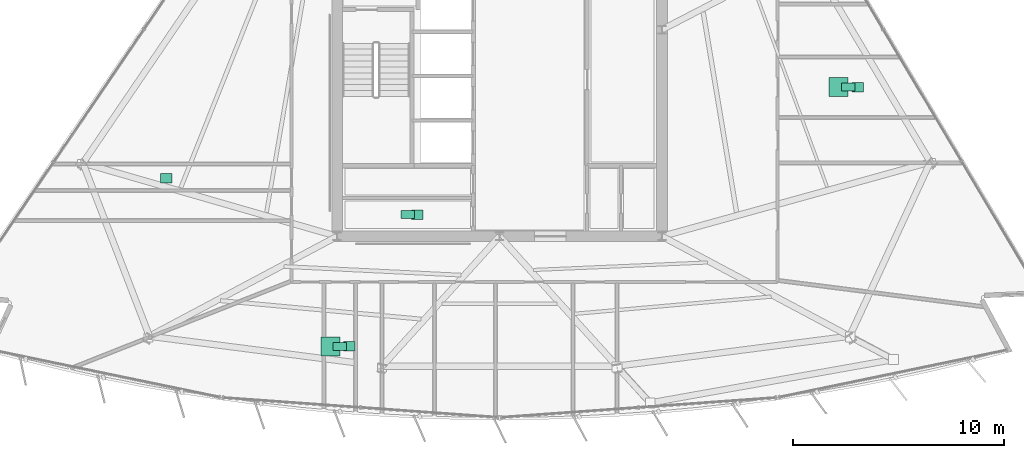
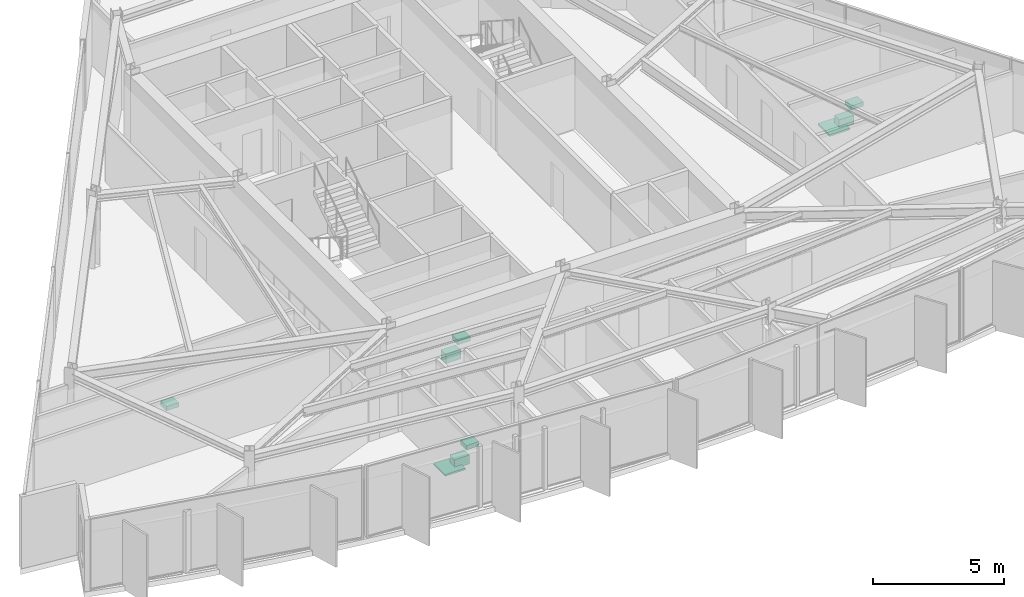
# One storey, part 15 of 15: 9 sanitary terminals.
"""IFC4 building model written with IfcOpenShell, lengths in metres."""

import ifcopenshell
import ifcopenshell.guid

model = None  # the IFC model being written
_history = None  # IfcOwnerHistory: only IFC2X3 demands one
_inside = {}  # id of a spatial element -> (the spatial element, [elements in it])
_under = {}  # id of a project, library or spatial element -> (it, [spatial elements below it])
_declared = {}  # id of a project -> (the project, [libraries it declares])
_typed = {}  # id of a type object -> (the type object, [elements of that type])
_made_of = {}  # id of a material, layer set ... -> (it, [elements and type objects made of it])


def new_model(schema):
    """Start an empty IFC model of exactly this schema.

    Asked for "IFC4X3", IfcOpenShell would pick the latest addendum, in which some entities
    have other attributes; the version numbers below select the first issue.
    IFC2X3 requires an IfcOwnerHistory on every rooted entity: one is made here for all.
    """
    global model, _history
    if schema == "IFC4X3":
        model = ifcopenshell.file(schema_version=(4, 3, 0, 0))
    else:
        model = ifcopenshell.file(schema=schema)
    _inside.clear()
    _under.clear()
    _declared.clear()
    _typed.clear()
    _made_of.clear()
    _history = None
    if model.schema == "IFC2X3":
        org = make("IfcOrganization", Name="unknown")
        user = make(
            "IfcPersonAndOrganization",
            ThePerson=make("IfcPerson", FamilyName="unknown"),
            TheOrganization=org,
        )
        app = make(
            "IfcApplication",
            ApplicationDeveloper=org,
            Version="unknown",
            ApplicationFullName="unknown",
            ApplicationIdentifier="unknown",
        )
        _history = make(
            "IfcOwnerHistory",
            OwningUser=user,
            OwningApplication=app,
            ChangeAction="ADDED",
            CreationDate=0,
        )
    return model


def make(cls, **values):
    """One entity of the class cls with the attributes given. An attribute that is None is left unset."""
    return model.create_entity(
        cls, **{name: value for name, value in values.items() if value is not None}
    )


def rooted(cls, **values):
    """An entity with a GlobalId (a new one), such as an element, a storey or a relation."""
    return make(cls, GlobalId=ifcopenshell.guid.new(), OwnerHistory=_history, **values)


def si_unit(unit_type, name, prefix=None):
    """IfcSIUnit, for example si_unit("LENGTHUNIT", "METRE", prefix="MILLI")."""
    return make("IfcSIUnit", UnitType=unit_type, Prefix=prefix, Name=name)


def assignment(units):
    """IfcUnitAssignment: the units of a project."""
    return None if units is None else make("IfcUnitAssignment", Units=units)


def point(xyz):
    """IfcCartesianPoint."""
    return None if xyz is None else make("IfcCartesianPoint", Coordinates=xyz)


def direction(xyz):
    """IfcDirection."""
    return None if xyz is None else make("IfcDirection", DirectionRatios=xyz)


def frame(location, z_axis=None, x_axis=None):
    """IfcAxis2Placement3D, a coordinate frame: its origin and axes. An axis left out is left unset."""
    return make(
        "IfcAxis2Placement3D",
        Location=point(location),
        Axis=direction(z_axis),
        RefDirection=direction(x_axis),
    )


def frame_2d(location, x_axis=None):
    """IfcAxis2Placement2D, a coordinate frame in the plane: its origin and x axis."""
    return make(
        "IfcAxis2Placement2D", Location=point(location), RefDirection=direction(x_axis)
    )


def origin():
    """The frame at (0, 0, 0) with its axes left unset."""
    return frame((0.0, 0.0, 0.0))


def origin_2d():
    """The frame at (0, 0) in the plane with its x axis left unset."""
    return frame_2d((0.0, 0.0))


def place(relative_to, where):
    """IfcLocalPlacement: puts the frame where relative to a parent placement (None: the world)."""
    return make(
        "IfcLocalPlacement", PlacementRelTo=relative_to, RelativePlacement=where
    )


def context(
    kind, dimensions, precision=None, world=None, true_north=None, identifier=None
):
    """IfcGeometricRepresentationContext, for example the 3D "Model" context."""
    return make(
        "IfcGeometricRepresentationContext",
        ContextIdentifier=identifier,
        ContextType=kind,
        CoordinateSpaceDimension=dimensions,
        Precision=precision,
        WorldCoordinateSystem=world,
        TrueNorth=true_north,
    )


def subcontext(parent, identifier, kind, view, scale=None):
    """IfcGeometricRepresentationSubContext, for example "Body" below "Model"."""
    return make(
        "IfcGeometricRepresentationSubContext",
        ContextIdentifier=identifier,
        ContextType=kind,
        ParentContext=parent,
        TargetScale=scale,
        TargetView=view,
    )


def project(units=None, contexts=None):
    """IfcProject with its units and contexts."""
    return rooted(
        "IfcProject",
        Name="project",
        RepresentationContexts=contexts,
        UnitsInContext=assignment(units),
    )


def spatial(cls, under=None, at=None, **own):
    """A site, building, storey or space (cls), placed at a placement, below another one or the project."""
    s = rooted(cls, ObjectPlacement=at, **own)
    if under is not None:
        _under.setdefault(under.id(), (under, []))[1].append(s)
    return s


def profile(cls, at=None, kind="AREA", **sizes):
    """A parametric profile (cls). Its sizes go by their IFC names, for example OverallWidth=200.0."""
    return make(cls, ProfileType=kind, Position=at, **sizes)


def rectangle(**sizes):
    """IfcRectangleProfileDef."""
    return profile("IfcRectangleProfileDef", **sizes)


def extrude(swept, where, along, depth):
    """IfcExtrudedAreaSolid: the profile swept, set in the frame where, extruded along a direction by depth."""
    return make(
        "IfcExtrudedAreaSolid",
        SweptArea=swept,
        Position=where,
        ExtrudedDirection=direction(along),
        Depth=depth,
    )


def shape(context_of_items, identifier, shape_type, items):
    """IfcShapeRepresentation: the items that make up one representation, for example the "Body"."""
    return make(
        "IfcShapeRepresentation",
        ContextOfItems=context_of_items,
        RepresentationIdentifier=identifier,
        RepresentationType=shape_type,
        Items=items,
    )


def material(Name=None, Category=None):
    """IfcMaterial."""
    return make("IfcMaterial", Name=Name, Category=Category)


def made_of(thing, what):
    """Note that an element or type object is made of a material, layer set ...; save() writes the relation."""
    if what is not None:
        _made_of.setdefault(what.id(), (what, []))[1].append(thing)
    return thing


def type_object(cls, material=None, **own):
    """A type object (cls), such as IfcWallType, which elements share."""
    return made_of(rooted(cls, **own), material)


def element(
    cls,
    number,
    at=None,
    inside=None,
    cuts=None,
    type_object=None,
    material=None,
    context=None,
    identifier="Body",
    shape_type=None,
    held_by="IfcProductDefinitionShape",
    body=None,
    shapes=None,
    **own,
):
    """One element of the class cls, such as IfcWall. Its Tag is "e" and its number.

    at: its placement. inside: the storey or other place that contains it. cuts: it is an
    opening in that element (IfcRelVoidsElement). A single representation is given by context,
    identifier, shape_type and body (its items); several are given by shapes. held_by: the class
    of the entity that holds the representations. save() writes the other relations.
    """
    e = rooted(cls, Tag="e%d" % number, ObjectPlacement=at, **own)
    if body is not None:
        shapes = [shape(context, identifier, shape_type, body)]
    if shapes is not None:
        e.Representation = make(held_by, Representations=shapes)
    if inside is not None:
        _inside.setdefault(inside.id(), (inside, []))[1].append(e)
    if cuts is not None:
        rooted(
            "IfcRelVoidsElement", RelatingBuildingElement=cuts, RelatedOpeningElement=e
        )
    if type_object is not None:
        _typed.setdefault(type_object.id(), (type_object, []))[1].append(e)
    return made_of(e, material)


def aggregate(whole, parts):
    """IfcRelAggregates: a whole, such as a stair, and the parts it consists of."""
    return rooted("IfcRelAggregates", RelatingObject=whole, RelatedObjects=parts)


def save(model, path):
    """Write the relations noted so far, then the file.

    IfcRelAggregates (storeys below a building ...), IfcRelContainedInSpatialStructure (elements
    in a storey), IfcRelDefinesByType, IfcRelAssociatesMaterial and IfcRelDeclares: one each for
    every whole, place, type object, material and project.
    """
    for whole, parts in _under.values():
        aggregate(whole, parts)
    for where, things in _inside.values():
        rooted(
            "IfcRelContainedInSpatialStructure",
            RelatedElements=things,
            RelatingStructure=where,
        )
    for kind, things in _typed.values():
        rooted("IfcRelDefinesByType", RelatedObjects=things, RelatingType=kind)
    for what, things in _made_of.values():
        rooted("IfcRelAssociatesMaterial", RelatedObjects=things, RelatingMaterial=what)
    for by, libraries in _declared.values():
        rooted("IfcRelDeclares", RelatingContext=by, RelatedDefinitions=libraries)
    model.write(path)


model = new_model("IFC4")

# Units and contexts
model_context = context("Model", 3, precision=1e-05, world=origin(), true_north=direction((0.0, 1.0)))
body_context = subcontext(model_context, "Body", "Model", "MODEL_VIEW")
ifc_project = project(units=[si_unit("LENGTHUNIT", "METRE"), si_unit("AREAUNIT", "SQUARE_METRE"), si_unit("VOLUMEUNIT", "CUBIC_METRE"), si_unit("PLANEANGLEUNIT", "RADIAN"), si_unit("MASSUNIT", "GRAM", prefix="KILO")], contexts=[model_context])

# Site, building, storey
site_placement = place(None, origin())
site = spatial("IfcSite", under=ifc_project, at=site_placement, CompositionType="ELEMENT")
building_placement = place(site_placement, origin())
building = spatial("IfcBuilding", under=site, at=building_placement, Name="Savorim Split Tower", CompositionType="ELEMENT")
storey_placement = place(building_placement, frame((0.0, 0.0, 212.699951171875)))
storey = spatial("IfcBuildingStorey", under=building, at=storey_placement, Name="L56", CompositionType="ELEMENT", Elevation=212.699951171875)

# Sanitary terminals
ifc_material = material(Name="Vitreous China Sanitaryware")
sanitary_terminal_type_1 = type_object("IfcSanitaryTerminalType", Name="SAN-SHW-900", PredefinedType="SHOWER", material=ifc_material)
for number, where, z_axis, x_axis, name in (
    (1, (-8.024169921875, -14.614990234375, 0.0), (0.0, 0.0, 1.0), (1.0, 0.0, 0.0), "L56 Shared Bathroom Shower"),
    (2, (16.073974609375, -2.329833984375, 0.0), (0.0, 0.0, 1.0), (1.0, 0.0, 0.0), "L56 Shared Bathroom Shower"),
):
    element("IfcSanitaryTerminal", number, at=place(storey_placement, frame(where, z_axis=z_axis, x_axis=x_axis)), inside=storey, type_object=sanitary_terminal_type_1, Name=name, PredefinedType="SHOWER", context=body_context, shape_type="SweptSolid", body=[
        extrude(rectangle(XDim=0.89990234375, YDim=0.89990234375, at=origin_2d()), origin(), (0.0, 0.0, 1.0), 0.080078125),
    ])
sanitary_terminal_type_2 = type_object("IfcSanitaryTerminalType", Name="SAN-WC-PAN", PredefinedType="TOILETPAN", material=ifc_material)
for number, where, z_axis, x_axis, name in (
    (3, (-4.35009765625, -8.3701171875, 0.0), (0.0, 0.0, 1.0), (1.0, 0.0, 0.0), "L56 Public WC WC Pan"),
    (4, (-7.57421875, -14.614990234375, 0.0), (0.0, 0.0, 1.0), (1.0, 0.0, 0.0), "L56 Shared Bathroom WC Pan"),
    (5, (16.52392578125, -2.329833984375, 0.0), (0.0, 0.0, 1.0), (1.0, 0.0, 0.0), "L56 Shared Bathroom WC Pan"),
):
    element("IfcSanitaryTerminal", number, at=place(storey_placement, frame(where, z_axis=z_axis, x_axis=x_axis)), inside=storey, type_object=sanitary_terminal_type_2, Name=name, PredefinedType="TOILETPAN", context=body_context, shape_type="SweptSolid", body=[
        extrude(rectangle(XDim=0.64990234375, YDim=0.3798828125, at=origin_2d()), origin(), (0.0, 0.0, 1.0), 0.419921875),
    ])
sanitary_terminal_type_3 = type_object("IfcSanitaryTerminalType", Name="SAN-WHB-550", PredefinedType="WASHHANDBASIN", material=ifc_material)
for number, where, z_axis, x_axis, name in (
    (6, (-3.89990234375, -8.3701171875, 0.72021484375), (0.0, 0.0, 1.0), (1.0, 0.0, 0.0), "L56 Public WC Washhand Basin"),
    (7, (-15.793212890625, -6.646240234375, 0.75), (0.0, 0.0, 1.0), (1.0, 0.0, 0.0), "L56 Shared Kitchen Utility Sink"),
    (8, (-7.124267578125, -14.614990234375, 0.72021484375), (0.0, 0.0, 1.0), (1.0, 0.0, 0.0), "L56 Shared Bathroom Washhand Basin"),
    (9, (16.973876953125, -2.329833984375, 0.72021484375), (0.0, 0.0, 1.0), (1.0, 0.0, 0.0), "L56 Shared Bathroom Washhand Basin"),
):
    element("IfcSanitaryTerminal", number, at=place(storey_placement, frame(where, z_axis=z_axis, x_axis=x_axis)), inside=storey, type_object=sanitary_terminal_type_3, Name=name, PredefinedType="WASHHANDBASIN", context=body_context, shape_type="SweptSolid", body=[
        extrude(rectangle(XDim=0.550048828125, YDim=0.449951171875, at=origin_2d()), origin(), (0.0, 0.0, 1.0), 0.199951171875),
    ])

save(model, "model.ifc")
